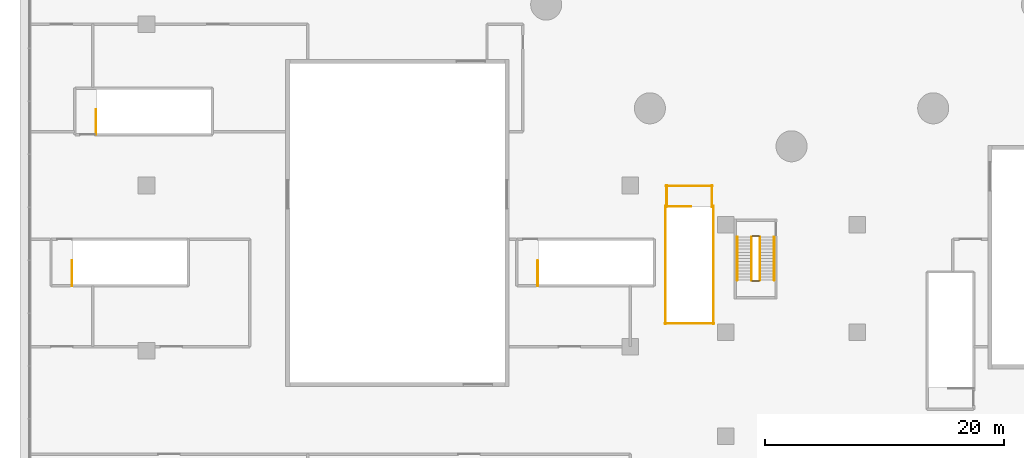
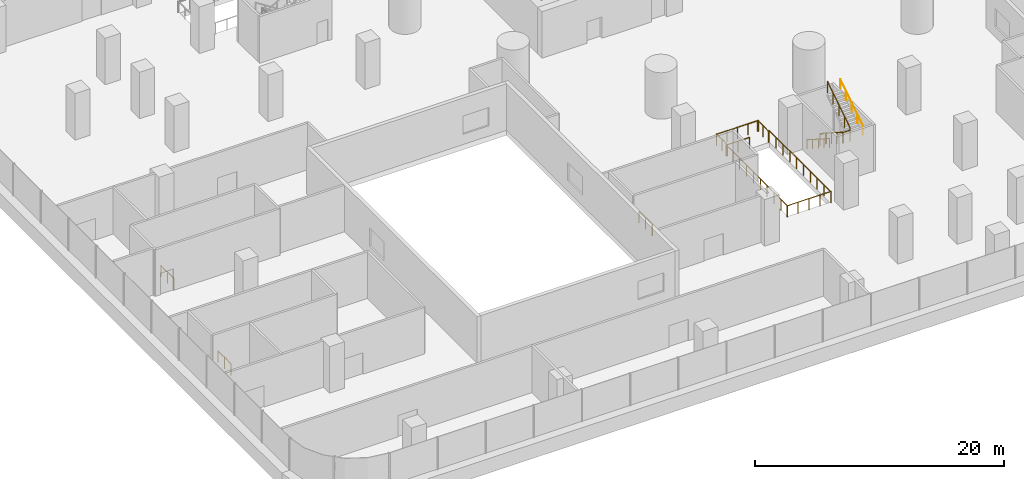
# One storey, part 31 of 38: 16 railings.
"""IFC4 building model written with IfcOpenShell, lengths in metres."""

from ifc_helpers import new_model, si_unit, direction, frame, origin, origin_2d, place, context, subcontext, project, spatial, circle, extrude, material, type_object, element, save


model = new_model("IFC4")

# Units and contexts
model_context = context("Model", 3, precision=1e-05, world=origin(), true_north=direction((0.0, 1.0)))
body_context = subcontext(model_context, "Body", "Model", "MODEL_VIEW")
ifc_project = project(units=[si_unit("LENGTHUNIT", "METRE"), si_unit("AREAUNIT", "SQUARE_METRE"), si_unit("VOLUMEUNIT", "CUBIC_METRE"), si_unit("PLANEANGLEUNIT", "RADIAN"), si_unit("MASSUNIT", "GRAM", prefix="KILO")], contexts=[model_context])

# Site, building, storey
site_placement = place(None, origin())
site = spatial("IfcSite", under=ifc_project, at=site_placement, CompositionType="ELEMENT")
building_placement = place(site_placement, origin())
building = spatial("IfcBuilding", under=site, at=building_placement, Name="Tamarind Cross Interchange Tower", CompositionType="ELEMENT")
storey_placement = place(building_placement, frame((0.0, 0.0, 20.0)))
storey = spatial("IfcBuildingStorey", under=building, at=storey_placement, Name="L03", CompositionType="ELEMENT", Elevation=20.0)

# Railings
ifc_material_1 = material(Name="Public stair guard")
railing_type_1 = type_object("IfcRailingType", Name="Public stair guard", PredefinedType="GUARDRAIL", material=ifc_material_1)
railing_1_placement = place(storey_placement, frame((-10.5, -28.75, 0.0)))
element("IfcRailing", 1, at=railing_1_placement, inside=storey, type_object=railing_type_1, Name="L03 PS-S top well guard 1", PredefinedType="GUARDRAIL", context=body_context, shape_type="SweptSolid", body=[
    extrude(circle(Radius=0.02392578125, at=origin_2d()), frame((0.0, 0.0, 1.076171875), z_axis=(1.0, 0.0, 0.0), x_axis=(0.0, 1.0, 0.0)), (0.0, 0.0, 1.0), 2.10009765625),
    extrude(circle(Radius=0.02099609375, at=origin_2d()), origin(), (0.0, 0.0, 1.0), 1.052001953125),
    extrude(circle(Radius=0.02099609375, at=origin_2d()), frame((1.050048828125, 0.0, 0.0)), (0.0, 0.0, 1.0), 1.052001953125),
    extrude(circle(Radius=0.02099609375, at=origin_2d()), frame((2.10009765625, 0.0, 0.0)), (0.0, 0.0, 1.0), 1.052001953125),
])
for number, where, name in (
    (2, (-10.550048828125, -28.699951171875, 0.0), "L03 PS-S top well guard 2"),
    (3, (-6.550048828125, -28.699951171875, 0.0), "L03 PS-S top well guard 3"),
):
    element("IfcRailing", number, at=place(storey_placement, frame(where)), inside=storey, type_object=railing_type_1, Name=name, PredefinedType="GUARDRAIL", context=body_context, shape_type="SweptSolid", body=[
        extrude(circle(Radius=0.02392578125, at=origin_2d()), frame((0.0, 0.0, 1.076171875), z_axis=(0.0, -1.0, 0.0), x_axis=(1.0, 0.0, 0.0)), (0.0, 0.0, 1.0), 9.900146484375),
        extrude(circle(Radius=0.02099609375, at=origin_2d()), origin(), (0.0, 0.0, 1.0), 1.052001953125),
        extrude(circle(Radius=0.02099609375, at=origin_2d()), frame((0.0, -1.10009765625, 0.0)), (0.0, 0.0, 1.0), 1.052001953125),
        extrude(circle(Radius=0.02099609375, at=origin_2d()), frame((0.0, -2.199951171875, 0.0)), (0.0, 0.0, 1.0), 1.052001953125),
        extrude(circle(Radius=0.02099609375, at=origin_2d()), frame((0.0, -3.300048828125, 0.0)), (0.0, 0.0, 1.0), 1.052001953125),
        extrude(circle(Radius=0.02099609375, at=origin_2d()), frame((0.0, -4.400146484375, 0.0)), (0.0, 0.0, 1.0), 1.052001953125),
        extrude(circle(Radius=0.02099609375, at=origin_2d()), frame((0.0, -5.5, 0.0)), (0.0, 0.0, 1.0), 1.052001953125),
        extrude(circle(Radius=0.02099609375, at=origin_2d()), frame((0.0, -6.60009765625, 0.0)), (0.0, 0.0, 1.0), 1.052001953125),
        extrude(circle(Radius=0.02099609375, at=origin_2d()), frame((0.0, -7.7001953125, 0.0)), (0.0, 0.0, 1.0), 1.052001953125),
        extrude(circle(Radius=0.02099609375, at=origin_2d()), frame((0.0, -8.800048828125, 0.0)), (0.0, 0.0, 1.0), 1.052001953125),
        extrude(circle(Radius=0.02099609375, at=origin_2d()), frame((0.0, -9.900146484375, 0.0)), (0.0, 0.0, 1.0), 1.052001953125),
    ])
railing_2_placement = place(storey_placement, frame((-10.60009765625, -38.550048828125, 0.0)))
element("IfcRailing", 4, at=railing_2_placement, inside=storey, type_object=railing_type_1, Name="L03 PS-S top well guard 4", PredefinedType="GUARDRAIL", context=body_context, shape_type="SweptSolid", body=[
    extrude(circle(Radius=0.02392578125, at=origin_2d()), frame((0.0, 0.0, 1.076171875), z_axis=(1.0, 0.0, 0.0), x_axis=(0.0, 1.0, 0.0)), (0.0, 0.0, 1.0), 4.10009765625),
    extrude(circle(Radius=0.02099609375, at=origin_2d()), origin(), (0.0, 0.0, 1.0), 1.052001953125),
    extrude(circle(Radius=0.02099609375, at=origin_2d()), frame((1.02490234375, 0.0, 0.0)), (0.0, 0.0, 1.0), 1.052001953125),
    extrude(circle(Radius=0.02099609375, at=origin_2d()), frame((2.050048828125, 0.0, 0.0)), (0.0, 0.0, 1.0), 1.052001953125),
    extrude(circle(Radius=0.02099609375, at=origin_2d()), frame((3.0751953125, 0.0, 0.0)), (0.0, 0.0, 1.0), 1.052001953125),
    extrude(circle(Radius=0.02099609375, at=origin_2d()), frame((4.10009765625, 0.0, 0.0)), (0.0, 0.0, 1.0), 1.052001953125),
])
for number, where, name in (
    (5, (-10.449951171875, -27.0, 0.0), "L03 PS-S top well guard 5"),
    (6, (-6.64990234375, -27.0, 0.0), "L03 PS-S top well guard 6"),
):
    element("IfcRailing", number, at=place(storey_placement, frame(where)), inside=storey, type_object=railing_type_1, Name=name, PredefinedType="GUARDRAIL", context=body_context, shape_type="SweptSolid", body=[
        extrude(circle(Radius=0.02392578125, at=origin_2d()), frame((0.0, 0.0, 1.076171875), z_axis=(0.0, -1.0, 0.0), x_axis=(1.0, 0.0, 0.0)), (0.0, 0.0, 1.0), 1.800048828125),
        extrude(circle(Radius=0.02099609375, at=origin_2d()), origin(), (0.0, 0.0, 1.0), 1.052001953125),
        extrude(circle(Radius=0.02099609375, at=origin_2d()), frame((0.0, -0.89990234375, 0.0)), (0.0, 0.0, 1.0), 1.052001953125),
        extrude(circle(Radius=0.02099609375, at=origin_2d()), frame((0.0, -1.800048828125, 0.0)), (0.0, 0.0, 1.0), 1.052001953125),
    ])
railing_3_placement = place(storey_placement, frame((-10.5, -27.050048828125, 0.0)))
element("IfcRailing", 7, at=railing_3_placement, inside=storey, type_object=railing_type_1, Name="L03 PS-S top well guard 7", PredefinedType="GUARDRAIL", context=body_context, shape_type="SweptSolid", body=[
    extrude(circle(Radius=0.02392578125, at=origin_2d()), frame((0.0, 0.0, 1.076171875), z_axis=(1.0, 0.0, 0.0), x_axis=(0.0, 1.0, 0.0)), (0.0, 0.0, 1.0), 3.89990234375),
    extrude(circle(Radius=0.02099609375, at=origin_2d()), origin(), (0.0, 0.0, 1.0), 1.052001953125),
    extrude(circle(Radius=0.02099609375, at=origin_2d()), frame((0.97509765625, 0.0, 0.0)), (0.0, 0.0, 1.0), 1.052001953125),
    extrude(circle(Radius=0.02099609375, at=origin_2d()), frame((1.949951171875, 0.0, 0.0)), (0.0, 0.0, 1.0), 1.052001953125),
    extrude(circle(Radius=0.02099609375, at=origin_2d()), frame((2.9248046875, 0.0, 0.0)), (0.0, 0.0, 1.0), 1.052001953125),
    extrude(circle(Radius=0.02099609375, at=origin_2d()), frame((3.89990234375, 0.0, 0.0)), (0.0, 0.0, 1.0), 1.052001953125),
])
railing_4_placement = place(storey_placement, frame((-60.25, -35.39990234375, 0.0)))
element("IfcRailing", 8, at=railing_4_placement, inside=storey, type_object=railing_type_1, Name="L03 XS-P07 top well guard 1", PredefinedType="GUARDRAIL", context=body_context, shape_type="SweptSolid", body=[
    extrude(circle(Radius=0.02392578125, at=origin_2d()), frame((0.0, 0.0, 1.076171875), z_axis=(0.0, 1.0, 0.0), x_axis=(-1.0, 0.0, 0.0)), (0.0, 0.0, 1.0), 2.099853515625),
    extrude(circle(Radius=0.02099609375, at=origin_2d()), origin(), (0.0, 0.0, 1.0), 1.052001953125),
    extrude(circle(Radius=0.02099609375, at=origin_2d()), frame((0.0, 1.0498046875, 0.0)), (0.0, 0.0, 1.0), 1.052001953125),
    extrude(circle(Radius=0.02099609375, at=origin_2d()), frame((0.0, 2.099853515625, 0.0)), (0.0, 0.0, 1.0), 1.052001953125),
])
railing_5_placement = place(storey_placement, frame((-58.25, -22.75, 0.0)))
element("IfcRailing", 9, at=railing_5_placement, inside=storey, type_object=railing_type_1, Name="L03 XS-P08 top well guard 1", PredefinedType="GUARDRAIL", context=body_context, shape_type="SweptSolid", body=[
    extrude(circle(Radius=0.02392578125, at=origin_2d()), frame((0.0, 0.0, 1.076171875), z_axis=(0.0, 1.0, 0.0), x_axis=(-1.0, 0.0, 0.0)), (0.0, 0.0, 1.0), 2.10009765625),
    extrude(circle(Radius=0.02099609375, at=origin_2d()), origin(), (0.0, 0.0, 1.0), 1.052001953125),
    extrude(circle(Radius=0.02099609375, at=origin_2d()), frame((0.0, 1.050048828125, 0.0)), (0.0, 0.0, 1.0), 1.052001953125),
    extrude(circle(Radius=0.02099609375, at=origin_2d()), frame((0.0, 2.10009765625, 0.0)), (0.0, 0.0, 1.0), 1.052001953125),
])
railing_6_placement = place(storey_placement, frame((-21.25, -35.39990234375, 0.0)))
element("IfcRailing", 10, at=railing_6_placement, inside=storey, type_object=railing_type_1, Name="L03 XS-P09 top well guard 1", PredefinedType="GUARDRAIL", context=body_context, shape_type="SweptSolid", body=[
    extrude(circle(Radius=0.02392578125, at=origin_2d()), frame((0.0, 0.0, 1.076171875), z_axis=(0.0, 1.0, 0.0), x_axis=(-1.0, 0.0, 0.0)), (0.0, 0.0, 1.0), 2.099853515625),
    extrude(circle(Radius=0.02099609375, at=origin_2d()), origin(), (0.0, 0.0, 1.0), 1.052001953125),
    extrude(circle(Radius=0.02099609375, at=origin_2d()), frame((0.0, 1.0498046875, 0.0)), (0.0, 0.0, 1.0), 1.052001953125),
    extrude(circle(Radius=0.02099609375, at=origin_2d()), frame((0.0, 2.099853515625, 0.0)), (0.0, 0.0, 1.0), 1.052001953125),
])
ifc_material_2 = material(Name="Stair guard")
railing_type_2 = type_object("IfcRailingType", Name="Stair guard", PredefinedType="GUARDRAIL", material=ifc_material_2)
railing_7_placement = place(storey_placement, frame((-3.35009765625, -31.300048828125, 0.166748046875)))
element("IfcRailing", 11, at=railing_7_placement, inside=storey, type_object=railing_type_2, Name="L03 ST6 stair guard 1", PredefinedType="GUARDRAIL", context=body_context, shape_type="SweptSolid", body=[
    extrude(circle(Radius=0.02392578125, at=origin_2d()), frame((0.0, 0.0, 1.076171875), z_axis=(0.0, -0.841880454617, 0.539664062296), x_axis=(1.0, 0.0, 0.0)), (0.0, 0.0, 1.0), 4.323486328125),
    extrude(circle(Radius=0.02099609375, at=origin_2d()), origin(), (0.0, 0.0, 1.0), 1.052001953125),
    extrude(circle(Radius=0.02099609375, at=origin_2d()), frame((0.0, -0.909912109375, 0.583251953125)), (0.0, 0.0, 1.0), 1.052001953125),
    extrude(circle(Radius=0.02099609375, at=origin_2d()), frame((0.0, -1.81982421875, 1.16650390625)), (0.0, 0.0, 1.0), 1.052001953125),
    extrude(circle(Radius=0.02099609375, at=origin_2d()), frame((0.0, -2.72998046875, 1.75)), (0.0, 0.0, 1.0), 1.052001953125),
    extrude(circle(Radius=0.02099609375, at=origin_2d()), frame((0.0, -3.639892578125, 2.333251953125)), (0.0, 0.0, 1.0), 1.052001953125),
])
railing_8_placement = place(storey_placement, frame((-3.300048828125, -34.989990234375, 2.5)))
element("IfcRailing", 12, at=railing_8_placement, inside=storey, type_object=railing_type_2, Name="L03 ST6 stair guard 2", PredefinedType="GUARDRAIL", context=body_context, shape_type="SweptSolid", body=[
    extrude(circle(Radius=0.02392578125, at=origin_2d()), frame((0.0, 0.0, 1.076171875), z_axis=(1.0, 0.0, 0.0), x_axis=(0.0, 1.0, 0.0)), (0.0, 0.0, 1.0), 0.60009765625),
    extrude(circle(Radius=0.02099609375, at=origin_2d()), origin(), (0.0, 0.0, 1.0), 1.052001953125),
    extrude(circle(Radius=0.02099609375, at=origin_2d()), frame((0.60009765625, 0.0, 0.0)), (0.0, 0.0, 1.0), 1.052001953125),
])
railing_9_placement = place(storey_placement, frame((-2.64990234375, -34.93994140625, 2.666748046875)))
element("IfcRailing", 13, at=railing_9_placement, inside=storey, type_object=railing_type_2, Name="L03 ST6 stair guard 3", PredefinedType="GUARDRAIL", context=body_context, shape_type="SweptSolid", body=[
    extrude(circle(Radius=0.02392578125, at=origin_2d()), frame((0.0, 0.0, 1.076171875), z_axis=(0.0, 0.841880454617, 0.539664062296), x_axis=(-1.0, 0.0, 0.0)), (0.0, 0.0, 1.0), 4.323486328125),
    extrude(circle(Radius=0.02099609375, at=origin_2d()), origin(), (0.0, 0.0, 1.0), 1.052001953125),
    extrude(circle(Radius=0.02099609375, at=origin_2d()), frame((0.0, 0.909912109375, 0.583251953125)), (0.0, 0.0, 1.0), 1.052001953125),
    extrude(circle(Radius=0.02099609375, at=origin_2d()), frame((0.0, 1.81982421875, 1.16650390625)), (0.0, 0.0, 1.0), 1.052001953125),
    extrude(circle(Radius=0.02099609375, at=origin_2d()), frame((0.0, 2.72998046875, 1.75)), (0.0, 0.0, 1.0), 1.052001953125),
    extrude(circle(Radius=0.02099609375, at=origin_2d()), frame((0.0, 3.639892578125, 2.333251953125)), (0.0, 0.0, 1.0), 1.052001953125),
])
railing_10_placement = place(storey_placement, frame((-3.300048828125, -31.25, 0.0)))
element("IfcRailing", 14, at=railing_10_placement, inside=storey, type_object=railing_type_2, Name="L03 ST6 stair guard 4", PredefinedType="GUARDRAIL", context=body_context, shape_type="SweptSolid", body=[
    extrude(circle(Radius=0.02392578125, at=origin_2d()), frame((0.0, 0.0, 1.076171875), z_axis=(1.0, 0.0, 0.0), x_axis=(0.0, 1.0, 0.0)), (0.0, 0.0, 1.0), 0.60009765625),
    extrude(circle(Radius=0.02099609375, at=origin_2d()), origin(), (0.0, 0.0, 1.0), 1.052001953125),
    extrude(circle(Radius=0.02099609375, at=origin_2d()), frame((0.60009765625, 0.0, 0.0)), (0.0, 0.0, 1.0), 1.052001953125),
])
ifc_material_3 = material(Name="Stair handrail")
railing_type_3 = type_object("IfcRailingType", Name="Stair handrail", PredefinedType="HANDRAIL", material=ifc_material_3)
railing_11_placement = place(storey_placement, frame((-4.550048828125, -31.300048828125, 0.166748046875)))
element("IfcRailing", 15, at=railing_11_placement, inside=storey, type_object=railing_type_3, Name="L03 ST6 stair handrail 1", PredefinedType="HANDRAIL", context=body_context, shape_type="SweptSolid", body=[
    extrude(circle(Radius=0.02392578125, at=origin_2d()), frame((0.0, 0.0, 0.8759765625), z_axis=(0.0, -0.841880454617, 0.539664062296), x_axis=(1.0, 0.0, 0.0)), (0.0, 0.0, 1.0), 4.323486328125),
    extrude(circle(Radius=0.02099609375, at=origin_2d()), origin(), (0.0, 0.0, 1.0), 0.851806640625),
    extrude(circle(Radius=0.02099609375, at=origin_2d()), frame((0.0, -0.909912109375, 0.583251953125)), (0.0, 0.0, 1.0), 0.851806640625),
    extrude(circle(Radius=0.02099609375, at=origin_2d()), frame((0.0, -1.81982421875, 1.16650390625)), (0.0, 0.0, 1.0), 0.851806640625),
    extrude(circle(Radius=0.02099609375, at=origin_2d()), frame((0.0, -2.72998046875, 1.75)), (0.0, 0.0, 1.0), 0.851806640625),
    extrude(circle(Radius=0.02099609375, at=origin_2d()), frame((0.0, -3.639892578125, 2.333251953125)), (0.0, 0.0, 1.0), 0.851806640625),
])
railing_12_placement = place(storey_placement, frame((-1.449951171875, -34.93994140625, 2.666748046875)))
element("IfcRailing", 16, at=railing_12_placement, inside=storey, type_object=railing_type_3, Name="L03 ST6 stair handrail 2", PredefinedType="HANDRAIL", context=body_context, shape_type="SweptSolid", body=[
    extrude(circle(Radius=0.02392578125, at=origin_2d()), frame((0.0, 0.0, 0.8759765625), z_axis=(0.0, 0.841880454617, 0.539664062296), x_axis=(-1.0, 0.0, 0.0)), (0.0, 0.0, 1.0), 4.323486328125),
    extrude(circle(Radius=0.02099609375, at=origin_2d()), origin(), (0.0, 0.0, 1.0), 0.851806640625),
    extrude(circle(Radius=0.02099609375, at=origin_2d()), frame((0.0, 0.909912109375, 0.583251953125)), (0.0, 0.0, 1.0), 0.851806640625),
    extrude(circle(Radius=0.02099609375, at=origin_2d()), frame((0.0, 1.81982421875, 1.16650390625)), (0.0, 0.0, 1.0), 0.851806640625),
    extrude(circle(Radius=0.02099609375, at=origin_2d()), frame((0.0, 2.72998046875, 1.75)), (0.0, 0.0, 1.0), 0.851806640625),
    extrude(circle(Radius=0.02099609375, at=origin_2d()), frame((0.0, 3.639892578125, 2.333251953125)), (0.0, 0.0, 1.0), 0.851806640625),
])

save(model, "model.ifc")
